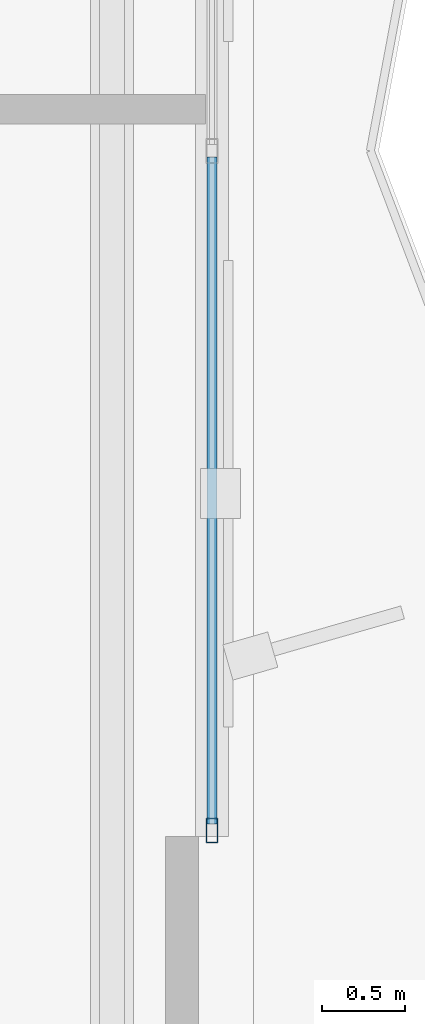
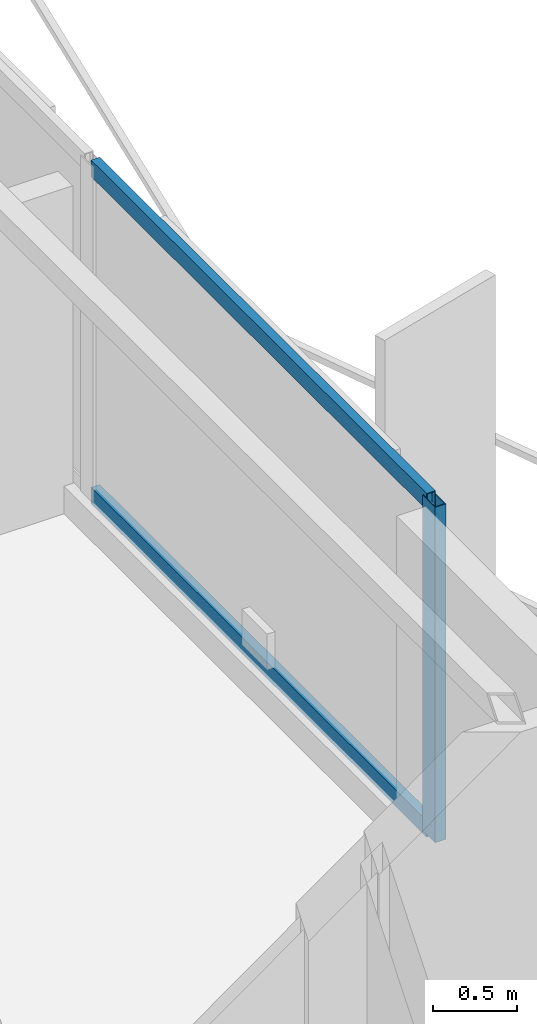
# One storey, part 7 of 18: 3 members, 1 element without a shape of its own.
"""IFC4 building model written with IfcOpenShell, lengths in metres."""

from ifc_helpers import new_model, si_unit, direction, frame, origin, origin_2d, place, context, subcontext, project, spatial, hollow_rectangle, extrude, material, layer, layer_set, material_profile, profile_set, type_object, element, aggregate, save


model = new_model("IFC4")

# Units and contexts
model_context = context("Model", 3, precision=1e-05, world=origin(), true_north=direction((0.0, 1.0)))
body_context = subcontext(model_context, "Body", "Model", "MODEL_VIEW")
ifc_project = project(units=[si_unit("LENGTHUNIT", "METRE"), si_unit("AREAUNIT", "SQUARE_METRE"), si_unit("VOLUMEUNIT", "CUBIC_METRE"), si_unit("PLANEANGLEUNIT", "RADIAN"), si_unit("MASSUNIT", "GRAM", prefix="KILO")], contexts=[model_context])

# Site, building, storey
site_placement = place(None, origin())
site = spatial("IfcSite", under=ifc_project, at=site_placement, CompositionType="ELEMENT")
building_placement = place(site_placement, origin())
building = spatial("IfcBuilding", under=site, at=building_placement, Name="Mersakhor Tower and Convention Hall", CompositionType="ELEMENT")
storey_placement = place(building_placement, frame((0.0, 0.0, 246.300048828125)))
storey = spatial("IfcBuildingStorey", under=building, at=storey_placement, Name="L69", CompositionType="ELEMENT", Elevation=246.300048828125)

# Curtain wall, members
ifc_material_1 = material(Name="Dark solar low-E aluminium curtain wall", Category="aluminium")
ifc_layer = layer(ifc_material_1, 0.179931640625)
ifc_layer_set = layer_set([ifc_layer], Name="Dark solar low-E aluminium curtain wall")
curtain_wall_type = type_object("IfcCurtainWallType", Name="CW-SYS-03", PredefinedType="USERDEFINED", material=ifc_layer_set)
curtain_wall_placement = place(storey_placement, origin())
curtain_wall = element("IfcCurtainWall", 1, at=curtain_wall_placement, inside=storey, type_object=curtain_wall_type, Name="L69 Dark-Glass Curtain Wall F2-B2", ObjectType="CURTAIN WALL", PredefinedType="USERDEFINED")
ifc_material_2 = material(Name="Anodised aluminium EN AW-6063 T6", Category="aluminium")
ifc_material_profile_1 = material_profile(ifc_material_2, hollow_rectangle(XDim=0.074951171875, YDim=0.14990234375, WallThickness=0.00634765625, at=origin_2d()), Name="RHS 150x75x6.3")
ifc_profile_set_1 = profile_set([ifc_material_profile_1], Name="Anodised aluminium EN AW-6063 T6")
member_type_1 = type_object("IfcMemberType", Name="CWM-150x75", PredefinedType="MULLION", material=ifc_profile_set_1)
member_1_placement = place(storey_placement, frame((39.742919921875, 22.673583984375, 0.199951171875), z_axis=(0.0, 0.0, 1.0), x_axis=(1.0, 0.0, 0.0)))
member_1 = element("IfcMember", 2, at=member_1_placement, type_object=member_type_1, Name="CW-03 mullion 3", PredefinedType="MULLION", context=body_context, shape_type="SweptSolid", body=[
    extrude(hollow_rectangle(XDim=0.074951171875, YDim=0.14990234375, WallThickness=0.00634765625, at=origin_2d()), origin(), (0.0, 0.0, 1.0), 2.43994140625),
])
ifc_material_3 = material(Name="Anodised aluminium EN AW-6063 T6", Category="aluminium")
ifc_material_profile_2 = material_profile(ifc_material_3, hollow_rectangle(XDim=0.06005859375, YDim=0.1201171875, WallThickness=0.0048828125, at=origin_2d()), Name="RHS 120x60x5")
ifc_profile_set_2 = profile_set([ifc_material_profile_2], Name="Anodised aluminium EN AW-6063 T6")
member_type_2 = type_object("IfcMemberType", Name="CWT-120x60", PredefinedType="USERDEFINED", material=ifc_profile_set_2)
member_2_placement = place(storey_placement, frame((39.742919921875, 26.71240234375, 0.22998046875), z_axis=(0.0, -1.0, 0.0), x_axis=(1.0, 0.0, 0.0)))
member_2 = element("IfcMember", 3, at=member_2_placement, type_object=member_type_2, Name="CW-03 transom 2.1", ObjectType="TRANSOM", PredefinedType="USERDEFINED", context=body_context, shape_type="SweptSolid", body=[
    extrude(hollow_rectangle(XDim=0.06005859375, YDim=0.1201171875, WallThickness=0.0048828125, at=origin_2d()), origin(), (0.0, 0.0, 1.0), 4.001220703125),
])
member_3_placement = place(storey_placement, frame((39.742919921875, 26.71240234375, 2.60986328125), z_axis=(0.0, -1.0, 0.0), x_axis=(1.0, 0.0, 0.0)))
member_3 = element("IfcMember", 4, at=member_3_placement, type_object=member_type_2, Name="CW-03 transom 2.2", ObjectType="TRANSOM", PredefinedType="USERDEFINED", context=body_context, shape_type="SweptSolid", body=[
    extrude(hollow_rectangle(XDim=0.06005859375, YDim=0.1201171875, WallThickness=0.0048828125, at=origin_2d()), origin(), (0.0, 0.0, 1.0), 4.001220703125),
])
aggregate(curtain_wall, [member_1, member_2, member_3])

save(model, "model.ifc")
